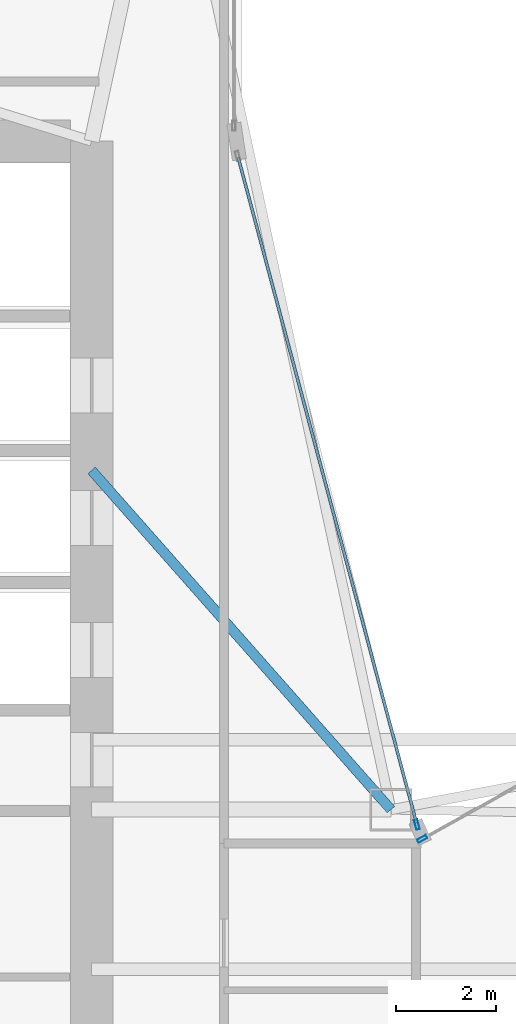
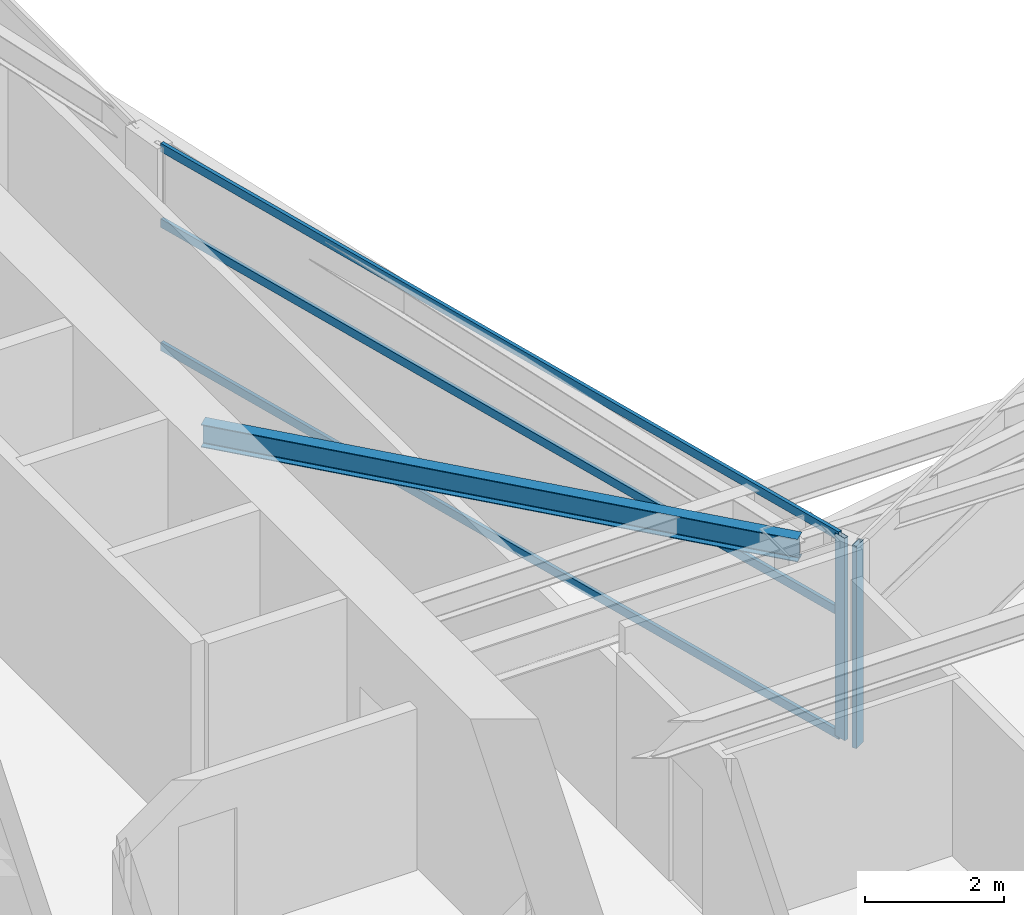
# One storey, part 10 of 28: 5 members, 1 beam, 2 elements without a shape of their own.
"""IFC4 building model written with IfcOpenShell, lengths in metres."""

from ifc_helpers import new_model, si_unit, direction, frame, origin, origin_2d, place, context, subcontext, project, spatial, hollow_rectangle, i_section, extrude, material, layer, layer_set, material_profile, profile_set, type_object, element, aggregate, save


model = new_model("IFC4")

# Units and contexts
model_context = context("Model", 3, precision=1e-05, world=origin(), true_north=direction((0.0, 1.0)))
body_context = subcontext(model_context, "Body", "Model", "MODEL_VIEW")
ifc_project = project(units=[si_unit("LENGTHUNIT", "METRE"), si_unit("AREAUNIT", "SQUARE_METRE"), si_unit("VOLUMEUNIT", "CUBIC_METRE"), si_unit("PLANEANGLEUNIT", "RADIAN"), si_unit("MASSUNIT", "GRAM", prefix="KILO")], contexts=[model_context])

# Site, building, storey
site_placement = place(None, origin())
site = spatial("IfcSite", under=ifc_project, at=site_placement, CompositionType="ELEMENT")
building_placement = place(site_placement, origin())
building = spatial("IfcBuilding", under=site, at=building_placement, Name="Calvorn Quay Hotel", CompositionType="ELEMENT")
storey_placement = place(building_placement, frame((0.0, 0.0, 112.60009765625)))
storey = spatial("IfcBuildingStorey", under=building, at=storey_placement, Name="L27", CompositionType="ELEMENT", Elevation=112.60009765625)

# Beam
ifc_material_1 = material(Name="Steel Q355B", Category="steel")
ifc_material_profile_1 = material_profile(ifc_material_1, i_section(OverallWidth=0.199951171875, OverallDepth=0.39990234375, WebThickness=0.008056640625, FlangeThickness=0.012939453125, FilletRadius=0.01611328125, at=origin_2d()), Name="HN400x200x8x13")
ifc_profile_set_1 = profile_set([ifc_material_profile_1], Name="Steel Q355B")
beam_type = type_object("IfcBeamType", Name="BM-JOIST-TYP", PredefinedType="JOIST", material=ifc_profile_set_1)
beam_placement = place(storey_placement, frame((15.0, 31.800048828125, 3.33984375), z_axis=(0.661618965899, -0.749840212287, 0.0), x_axis=(0.749840212287, 0.661618965899, 0.0)))
element("IfcBeam", 1, at=beam_placement, inside=storey, type_object=beam_type, Name="Beam BJ-L27-C1", PredefinedType="JOIST", context=body_context, shape_type="SweptSolid", body=[
    extrude(i_section(OverallWidth=0.199951171875, OverallDepth=0.39990234375, WebThickness=0.008056640625, FlangeThickness=0.012939453125, FilletRadius=0.01611328125, at=origin_2d()), origin(), (0.0, 0.0, 1.0), 9.068603515625),
])

# Curtain wall, member
ifc_material_2 = material(Name="Pale Anodised Aluminium and Low-E Glass", Category="aluminium")
ifc_layer = layer(ifc_material_2, 0.219970703125)
ifc_layer_set = layer_set([ifc_layer], Name="CW-SYS-Z2")
curtain_wall_type = type_object("IfcCurtainWallType", Name="CW-SYS-Z2", PredefinedType="NOTDEFINED", material=ifc_layer_set)
curtain_wall_1_placement = place(storey_placement, origin())
curtain_wall_1 = element("IfcCurtainWall", 2, at=curtain_wall_1_placement, inside=storey, type_object=curtain_wall_type, Name="Inner Court Curtain Wall L27-NE1", PredefinedType="NOTDEFINED")
ifc_material_3 = material(Name="Pale Anodised Aluminium 6063-T6", Category="aluminium")
ifc_material_profile_2 = material_profile(ifc_material_3, hollow_rectangle(XDim=0.070068359375, YDim=0.199951171875, WallThickness=0.00390625, at=origin_2d()), Name="ALU-M200x70x4")
ifc_profile_set_2 = profile_set([ifc_material_profile_2], Name="Pale Anodised Aluminium 6063-T6")
member_type_1 = type_object("IfcMemberType", Name="CW-SYS-Z2-MUL", PredefinedType="MULLION", material=ifc_profile_set_2)
member_1_placement = place(storey_placement, frame((21.626220703125, 24.41455078125, 0.0), z_axis=(0.0, 0.0, 1.0), x_axis=(0.486858256224, -0.873480989116, 0.0)))
member_1 = element("IfcMember", 3, at=member_1_placement, type_object=member_type_1, Name="CW-L27-NE1 mullion 4", PredefinedType="MULLION", context=body_context, shape_type="SweptSolid", body=[
    extrude(hollow_rectangle(XDim=0.070068359375, YDim=0.199951171875, WallThickness=0.00390625, at=origin_2d()), origin(), (0.0, 0.0, 1.0), 3.559814453125),
])
aggregate(curtain_wall_1, [member_1])

# Curtain wall, members
curtain_wall_2_placement = place(storey_placement, origin())
curtain_wall_2 = element("IfcCurtainWall", 4, at=curtain_wall_2_placement, inside=storey, type_object=curtain_wall_type, Name="Inner Court Curtain Wall L27-IC1", PredefinedType="NOTDEFINED")
member_2_placement = place(storey_placement, frame((21.520263671875, 24.698974609375, 0.0), z_axis=(0.0, 0.0, 1.0), x_axis=(-0.96593652056, -0.25877913024, 0.0)))
member_2 = element("IfcMember", 5, at=member_2_placement, type_object=member_type_1, Name="CW-L27-IC1 mullion 1", PredefinedType="MULLION", context=body_context, shape_type="SweptSolid", body=[
    extrude(hollow_rectangle(XDim=0.070068359375, YDim=0.199951171875, WallThickness=0.00390625, at=origin_2d()), origin(), (0.0, 0.0, 1.0), 3.559814453125),
])
ifc_material_4 = material(Name="Pale Anodised Aluminium 6063-T6", Category="aluminium")
ifc_material_profile_3 = material_profile(ifc_material_4, hollow_rectangle(XDim=0.06005859375, YDim=0.14990234375, WallThickness=0.00341796875, at=origin_2d()), Name="ALU-T150x60x3.5")
ifc_profile_set_3 = profile_set([ifc_material_profile_3], Name="Pale Anodised Aluminium 6063-T6")
member_type_2 = type_object("IfcMemberType", Name="CW-SYS-Z2-TRN", PredefinedType="USERDEFINED", material=ifc_profile_set_3)
member_3_placement = place(storey_placement, frame((21.512451171875, 24.72802734375, 0.02978515625), z_axis=(-0.258781136883, 0.965935982969, 0.0), x_axis=(-0.965935982969, -0.258781136883, 0.0)))
member_3 = element("IfcMember", 6, at=member_3_placement, type_object=member_type_2, Name="CW-L27-IC1 transom 1.1", ObjectType="TRANSOM", PredefinedType="USERDEFINED", context=body_context, shape_type="SweptSolid", body=[
    extrude(hollow_rectangle(XDim=0.06005859375, YDim=0.14990234375, WallThickness=0.00341796875, at=origin_2d()), origin(), (0.0, 0.0, 1.0), 13.814453125),
])
member_4_placement = place(storey_placement, frame((21.512451171875, 24.72802734375, 2.199951171875), z_axis=(-0.258781136883, 0.965935982969, 0.0), x_axis=(-0.965935982969, -0.258781136883, 0.0)))
member_4 = element("IfcMember", 7, at=member_4_placement, type_object=member_type_2, Name="CW-L27-IC1 transom 1.2", ObjectType="TRANSOM", PredefinedType="USERDEFINED", context=body_context, shape_type="SweptSolid", body=[
    extrude(hollow_rectangle(XDim=0.06005859375, YDim=0.14990234375, WallThickness=0.00341796875, at=origin_2d()), origin(), (0.0, 0.0, 1.0), 13.814453125),
])
member_5_placement = place(storey_placement, frame((21.512451171875, 24.72802734375, 3.52978515625), z_axis=(-0.258781136883, 0.965935982969, 0.0), x_axis=(-0.965935982969, -0.258781136883, 0.0)))
member_5 = element("IfcMember", 8, at=member_5_placement, type_object=member_type_2, Name="CW-L27-IC1 transom 1.3", ObjectType="TRANSOM", PredefinedType="USERDEFINED", context=body_context, shape_type="SweptSolid", body=[
    extrude(hollow_rectangle(XDim=0.06005859375, YDim=0.14990234375, WallThickness=0.00341796875, at=origin_2d()), origin(), (0.0, 0.0, 1.0), 13.814453125),
])
aggregate(curtain_wall_2, [member_2, member_3, member_4, member_5])

save(model, "model.ifc")
